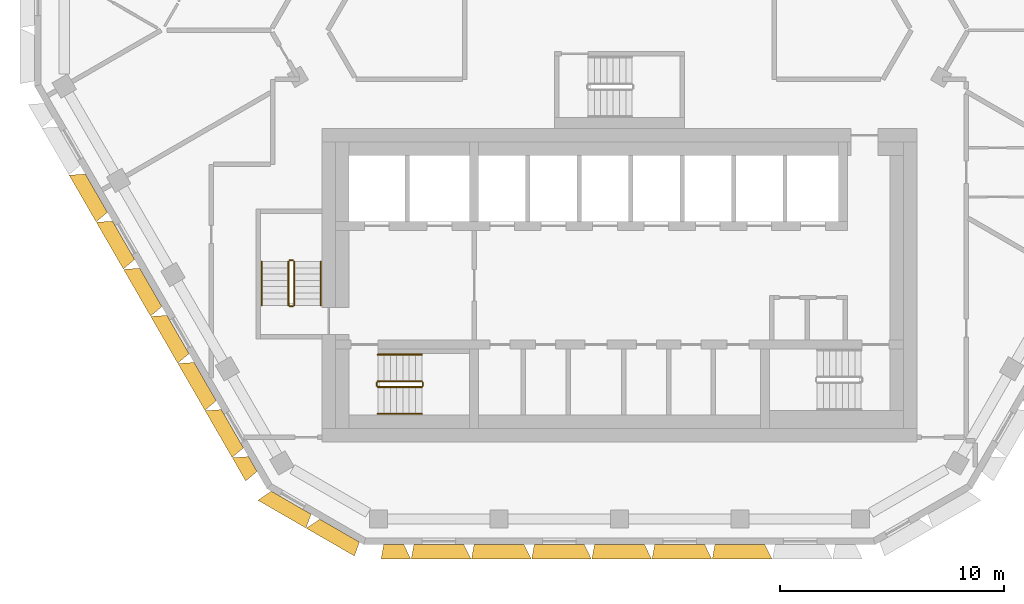
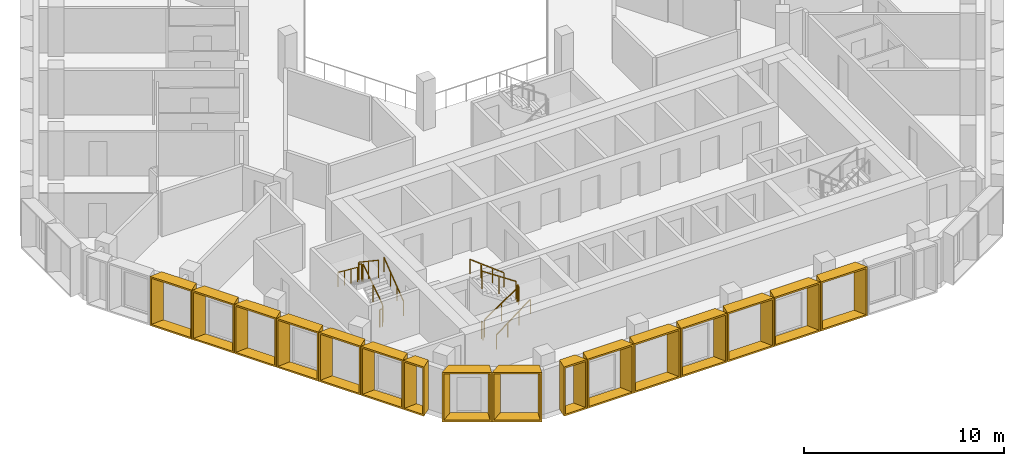
# One storey, part 11 of 15: 16 shading devices, 12 railings.
"""IFC4 building model written with IfcOpenShell, lengths in metres."""

from ifc_helpers import new_model, entity, si_unit, direction, frame, origin, origin_2d, place, context, subcontext, project, spatial, rectangle, extrude, source, transform, mapped, material, type_object, type_shapes, element, save


model = new_model("IFC4")

# Units and contexts
model_context = context("Model", 3, precision=1e-05, world=origin(), true_north=direction((0.0, 1.0)))
body_context = subcontext(model_context, "Body", "Model", "MODEL_VIEW")
ifc_project = project(units=[si_unit("LENGTHUNIT", "METRE"), si_unit("AREAUNIT", "SQUARE_METRE"), si_unit("VOLUMEUNIT", "CUBIC_METRE"), si_unit("PLANEANGLEUNIT", "RADIAN"), si_unit("MASSUNIT", "GRAM", prefix="KILO")], contexts=[model_context])

# Site, building, storey
site_placement = place(None, origin())
site = spatial("IfcSite", under=ifc_project, at=site_placement, CompositionType="ELEMENT")
building_placement = place(site_placement, origin())
building = spatial("IfcBuilding", under=site, at=building_placement, Name="Beryl Residences", CompositionType="ELEMENT")
storey_placement = place(building_placement, frame((0.0, 0.0, 175.199951171875)))
storey = spatial("IfcBuildingStorey", under=building, at=storey_placement, Name="L53", CompositionType="ELEMENT", Elevation=175.199951171875)

# Shading devices
ifc_material_1 = material(Name="Aluminium pale anodised", Category="aluminium")
shading_device_type_1 = type_object("IfcShadingDeviceType", Name="FR122-65B OUTER SKIN frame 650 mm deep, splay 26/10 deg, 1220 x 3000 mm cell", PredefinedType="USERDEFINED", material=ifc_material_1)
cartesian_point_1 = entity("IfcCartesianPoint", [-0.384033203125, 0.0])
cartesian_point_2 = entity("IfcCartesianPoint", [-0.294921875, 0.10009765625])
cartesian_point_3 = entity("IfcCartesianPoint", [-0.700927734375, 0.0])
cartesian_point_4 = entity("IfcCartesianPoint", [-0.612060546875, 0.10009765625])
shared_shape_1 = source(origin(), body_context, "Body", "SweptSolid", [
    entity("IfcExtrudedAreaSolidTapered", entity("IfcArbitraryProfileDefWithVoids", "AREA", None, entity("IfcPolyline", [cartesian_point_1, entity("IfcCartesianPoint", [0.384033203125, 0.0]), entity("IfcCartesianPoint", [0.384033203125, 3.0]), entity("IfcCartesianPoint", [-0.384033203125, 3.0]), cartesian_point_1]), [entity("IfcPolyline", [cartesian_point_2, entity("IfcCartesianPoint", [0.302734375, 0.10009765625]), entity("IfcCartesianPoint", [0.302734375, 2.89990234375]), entity("IfcCartesianPoint", [-0.294921875, 2.89990234375]), cartesian_point_2])]), entity("IfcAxis2Placement3D", entity("IfcCartesianPoint", [0.0, 0.0, 0.0]), entity("IfcDirection", [0.0, 1.0, 0.0]), entity("IfcDirection", [-1.0, 0.0, 0.0])), entity("IfcDirection", [0.0, 0.0, 1.0]), 0.64990234375, entity("IfcArbitraryProfileDefWithVoids", "AREA", None, entity("IfcPolyline", [cartesian_point_3, entity("IfcCartesianPoint", [0.49853515625, 0.0]), entity("IfcCartesianPoint", [0.49853515625, 3.0]), entity("IfcCartesianPoint", [-0.700927734375, 3.0]), cartesian_point_3]), [entity("IfcPolyline", [cartesian_point_4, entity("IfcCartesianPoint", [0.41748046875, 0.10009765625]), entity("IfcCartesianPoint", [0.41748046875, 2.89990234375]), entity("IfcCartesianPoint", [-0.612060546875, 2.89990234375]), cartesian_point_4])])),
])
type_shapes(shading_device_type_1, [shared_shape_1])
shading_device_1_placement = place(storey_placement, frame((-16.39794921875, -19.9970703125, 0.0), z_axis=(0.0, 0.0, 1.0), x_axis=(-0.5, 0.866025403784, 0.0)))
element("IfcShadingDevice", 1, at=shading_device_1_placement, inside=storey, type_object=shading_device_type_1, Name="FR122-65B frame L53 SW 9", ObjectType="OUTER SKIN", PredefinedType="USERDEFINED", context=body_context, shape_type="MappedRepresentation", body=[
    mapped(shared_shape_1, transform((0.0, 0.0, 0.0))),
])
ifc_material_2 = material(Name="Aluminium pale anodised", Category="aluminium")
shading_device_type_2 = type_object("IfcShadingDeviceType", Name="FR135-65C OUTER SKIN frame 650 mm deep, splay 10/26 deg, 1350 x 3000 mm cell", PredefinedType="USERDEFINED", material=ifc_material_2)
cartesian_point_5 = entity("IfcCartesianPoint", [-0.448974609375, 0.0])
cartesian_point_6 = entity("IfcCartesianPoint", [-0.36767578125, 0.10009765625])
cartesian_point_7 = entity("IfcCartesianPoint", [-0.563720703125, 0.0])
cartesian_point_8 = entity("IfcCartesianPoint", [-0.482421875, 0.10009765625])
shared_shape_2 = source(origin(), body_context, "Body", "SweptSolid", [
    entity("IfcExtrudedAreaSolidTapered", entity("IfcArbitraryProfileDefWithVoids", "AREA", None, entity("IfcPolyline", [cartesian_point_5, entity("IfcCartesianPoint", [0.448974609375, 0.0]), entity("IfcCartesianPoint", [0.448974609375, 3.0]), entity("IfcCartesianPoint", [-0.448974609375, 3.0]), cartesian_point_5]), [entity("IfcPolyline", [cartesian_point_6, entity("IfcCartesianPoint", [0.360107421875, 0.10009765625]), entity("IfcCartesianPoint", [0.360107421875, 2.89990234375]), entity("IfcCartesianPoint", [-0.36767578125, 2.89990234375]), cartesian_point_6])]), entity("IfcAxis2Placement3D", entity("IfcCartesianPoint", [0.0, 0.0, 0.0]), entity("IfcDirection", [0.0, 1.0, 0.0]), entity("IfcDirection", [-1.0, 0.0, 0.0])), entity("IfcDirection", [0.0, 0.0, 1.0]), 0.64990234375, entity("IfcArbitraryProfileDefWithVoids", "AREA", None, entity("IfcPolyline", [cartesian_point_7, entity("IfcCartesianPoint", [0.76611328125, 0.0]), entity("IfcCartesianPoint", [0.76611328125, 3.0]), entity("IfcCartesianPoint", [-0.563720703125, 3.0]), cartesian_point_7]), [entity("IfcPolyline", [cartesian_point_8, entity("IfcCartesianPoint", [0.677001953125, 0.10009765625]), entity("IfcCartesianPoint", [0.677001953125, 2.89990234375]), entity("IfcCartesianPoint", [-0.482421875, 2.89990234375]), cartesian_point_8])])),
])
type_shapes(shading_device_type_2, [shared_shape_2])
shading_device_2_placement = place(storey_placement, frame((-10.093994140625, -23.60009765625, 0.0), z_axis=(0.0, 0.0, 1.0), x_axis=(-1.0, 0.0, 0.0)))
element("IfcShadingDevice", 2, at=shading_device_2_placement, inside=storey, type_object=shading_device_type_2, Name="FR135-65C frame L53 S 1", ObjectType="OUTER SKIN", PredefinedType="USERDEFINED", context=body_context, shape_type="MappedRepresentation", body=[
    mapped(shared_shape_2, transform((0.0, 0.0, 0.0))),
])
ifc_material_3 = material(Name="Aluminium pale anodised", Category="aluminium")
shading_device_type_3 = type_object("IfcShadingDeviceType", Name="FR243-65B OUTER SKIN frame 650 mm deep, splay 26/10 deg, 2430 x 3000 mm cell", PredefinedType="USERDEFINED", material=ifc_material_3)
cartesian_point_9 = entity("IfcCartesianPoint", [-0.989013671875, 0.0])
cartesian_point_10 = entity("IfcCartesianPoint", [-0.89990234375, 0.10009765625])
cartesian_point_11 = entity("IfcCartesianPoint", [-1.305908203125, 0.0])
cartesian_point_12 = entity("IfcCartesianPoint", [-1.217041015625, 0.10009765625])
shared_shape_3 = source(origin(), body_context, "Body", "SweptSolid", [
    entity("IfcExtrudedAreaSolidTapered", entity("IfcArbitraryProfileDefWithVoids", "AREA", None, entity("IfcPolyline", [cartesian_point_9, entity("IfcCartesianPoint", [0.989013671875, 0.0]), entity("IfcCartesianPoint", [0.989013671875, 3.0]), entity("IfcCartesianPoint", [-0.989013671875, 3.0]), cartesian_point_9]), [entity("IfcPolyline", [cartesian_point_10, entity("IfcCartesianPoint", [0.90771484375, 0.10009765625]), entity("IfcCartesianPoint", [0.90771484375, 2.89990234375]), entity("IfcCartesianPoint", [-0.89990234375, 2.89990234375]), cartesian_point_10])]), entity("IfcAxis2Placement3D", entity("IfcCartesianPoint", [0.0, 0.0, 0.0]), entity("IfcDirection", [0.0, 1.0, 0.0]), entity("IfcDirection", [-1.0, 0.0, 0.0])), entity("IfcDirection", [0.0, 0.0, 1.0]), 0.64990234375, entity("IfcArbitraryProfileDefWithVoids", "AREA", None, entity("IfcPolyline", [cartesian_point_11, entity("IfcCartesianPoint", [1.103515625, 0.0]), entity("IfcCartesianPoint", [1.103515625, 3.0]), entity("IfcCartesianPoint", [-1.305908203125, 3.0]), cartesian_point_11]), [entity("IfcPolyline", [cartesian_point_12, entity("IfcCartesianPoint", [1.0224609375, 0.10009765625]), entity("IfcCartesianPoint", [1.0224609375, 2.89990234375]), entity("IfcCartesianPoint", [-1.217041015625, 2.89990234375]), cartesian_point_12])])),
])
type_shapes(shading_device_type_3, [shared_shape_3])
for number, where, z_axis, x_axis, name in (
    (3, (-23.388916015625, -7.886962890625, 0.0), (0.0, 0.0, 1.0), (-0.5, 0.866025403784, 0.0), "FR243-65B frame L53 SW 3"),
    (4, (-22.173095703125, -9.992919921875, 0.0), (0.0, 0.0, 1.0), (-0.5, 0.866025403784, 0.0), "FR243-65B frame L53 SW 4"),
    (5, (-20.95703125, -12.09912109375, 0.0), (0.0, 0.0, 1.0), (-0.5, 0.866025403784, 0.0), "FR243-65B frame L53 SW 5"),
    (6, (-19.741943359375, -14.205078125, 0.0), (0.0, 0.0, 1.0), (-0.5, 0.866025403784, 0.0), "FR243-65B frame L53 SW 6"),
    (7, (-18.52587890625, -16.31103515625, 0.0), (0.0, 0.0, 1.0), (-0.5, 0.866025403784, 0.0), "FR243-65B frame L53 SW 7"),
    (8, (-17.31005859375, -18.41796875, 0.0), (0.0, 0.0, 1.0), (-0.5, 0.866025403784, 0.0), "FR243-65B frame L53 SW 8"),
):
    element("IfcShadingDevice", number, at=place(storey_placement, frame(where, z_axis=z_axis, x_axis=x_axis)), inside=storey, type_object=shading_device_type_3, Name=name, ObjectType="OUTER SKIN", PredefinedType="USERDEFINED", context=body_context, shape_type="MappedRepresentation", body=[
        mapped(shared_shape_3, transform((0.0, 0.0, 0.0))),
    ])
ifc_material_4 = material(Name="Aluminium pale anodised", Category="aluminium")
shading_device_type_4 = type_object("IfcShadingDeviceType", Name="FR250-65B OUTER SKIN frame 650 mm deep, splay 26/10 deg, 2500 x 3000 mm cell", PredefinedType="USERDEFINED", material=ifc_material_4)
cartesian_point_13 = entity("IfcCartesianPoint", [-1.02392578125, 0.0])
cartesian_point_14 = entity("IfcCartesianPoint", [-0.93505859375, 0.10009765625])
cartesian_point_15 = entity("IfcCartesianPoint", [-1.341064453125, 0.0])
cartesian_point_16 = entity("IfcCartesianPoint", [-1.251953125, 0.10009765625])
shared_shape_4 = source(origin(), body_context, "Body", "SweptSolid", [
    entity("IfcExtrudedAreaSolidTapered", entity("IfcArbitraryProfileDefWithVoids", "AREA", None, entity("IfcPolyline", [cartesian_point_13, entity("IfcCartesianPoint", [1.02392578125, 0.0]), entity("IfcCartesianPoint", [1.02392578125, 3.0]), entity("IfcCartesianPoint", [-1.02392578125, 3.0]), cartesian_point_13]), [entity("IfcPolyline", [cartesian_point_14, entity("IfcCartesianPoint", [0.94287109375, 0.10009765625]), entity("IfcCartesianPoint", [0.94287109375, 2.89990234375]), entity("IfcCartesianPoint", [-0.93505859375, 2.89990234375]), cartesian_point_14])]), entity("IfcAxis2Placement3D", entity("IfcCartesianPoint", [0.0, 0.0, 0.0]), entity("IfcDirection", [0.0, 1.0, 0.0]), entity("IfcDirection", [-1.0, 0.0, 0.0])), entity("IfcDirection", [0.0, 0.0, 1.0]), 0.64990234375, entity("IfcArbitraryProfileDefWithVoids", "AREA", None, entity("IfcPolyline", [cartesian_point_15, entity("IfcCartesianPoint", [1.138671875, 0.0]), entity("IfcCartesianPoint", [1.138671875, 3.0]), entity("IfcCartesianPoint", [-1.341064453125, 3.0]), cartesian_point_15]), [entity("IfcPolyline", [cartesian_point_16, entity("IfcCartesianPoint", [1.057373046875, 0.10009765625]), entity("IfcCartesianPoint", [1.057373046875, 2.89990234375]), entity("IfcCartesianPoint", [-1.251953125, 2.89990234375]), cartesian_point_16])])),
])
type_shapes(shading_device_type_4, [shared_shape_4])
for number, where, z_axis, x_axis, name in (
    (9, (-14.677978515625, -21.72509765625, 0.0), (0.0, 0.0, 1.0), (-0.866025403784, 0.5, 0.0), "FR250-65B frame L53 SW-S 1"),
    (10, (-12.513916015625, -22.97509765625, 0.0), (0.0, 0.0, 1.0), (-0.866025403784, 0.5, 0.0), "FR250-65B frame L53 SW-S 2"),
):
    element("IfcShadingDevice", number, at=place(storey_placement, frame(where, z_axis=z_axis, x_axis=x_axis)), inside=storey, type_object=shading_device_type_4, Name=name, ObjectType="OUTER SKIN", PredefinedType="USERDEFINED", context=body_context, shape_type="MappedRepresentation", body=[
        mapped(shared_shape_4, transform((0.0, 0.0, 0.0))),
    ])
ifc_material_5 = material(Name="Aluminium pale anodised", Category="aluminium")
shading_device_type_5 = type_object("IfcShadingDeviceType", Name="FR269-65C OUTER SKIN frame 650 mm deep, splay 10/26 deg, 2690 x 3000 mm cell", PredefinedType="USERDEFINED", material=ifc_material_5)
cartesian_point_17 = entity("IfcCartesianPoint", [-1.118896484375, 0.0])
cartesian_point_18 = entity("IfcCartesianPoint", [-1.037841796875, 0.10009765625])
cartesian_point_19 = entity("IfcCartesianPoint", [-1.233642578125, 0.0])
cartesian_point_20 = entity("IfcCartesianPoint", [-1.15234375, 0.10009765625])
shared_shape_5 = source(origin(), body_context, "Body", "SweptSolid", [
    entity("IfcExtrudedAreaSolidTapered", entity("IfcArbitraryProfileDefWithVoids", "AREA", None, entity("IfcPolyline", [cartesian_point_17, entity("IfcCartesianPoint", [1.118896484375, 0.0]), entity("IfcCartesianPoint", [1.118896484375, 3.0]), entity("IfcCartesianPoint", [-1.118896484375, 3.0]), cartesian_point_17]), [entity("IfcPolyline", [cartesian_point_18, entity("IfcCartesianPoint", [1.030029296875, 0.10009765625]), entity("IfcCartesianPoint", [1.030029296875, 2.89990234375]), entity("IfcCartesianPoint", [-1.037841796875, 2.89990234375]), cartesian_point_18])]), entity("IfcAxis2Placement3D", entity("IfcCartesianPoint", [0.0, 0.0, 0.0]), entity("IfcDirection", [0.0, 1.0, 0.0]), entity("IfcDirection", [-1.0, 0.0, 0.0])), entity("IfcDirection", [0.0, 0.0, 1.0]), 0.64990234375, entity("IfcArbitraryProfileDefWithVoids", "AREA", None, entity("IfcPolyline", [cartesian_point_19, entity("IfcCartesianPoint", [1.43603515625, 0.0]), entity("IfcCartesianPoint", [1.43603515625, 3.0]), entity("IfcCartesianPoint", [-1.233642578125, 3.0]), cartesian_point_19]), [entity("IfcPolyline", [cartesian_point_20, entity("IfcCartesianPoint", [1.346923828125, 0.10009765625]), entity("IfcCartesianPoint", [1.346923828125, 2.89990234375]), entity("IfcCartesianPoint", [-1.15234375, 2.89990234375]), cartesian_point_20])])),
])
type_shapes(shading_device_type_5, [shared_shape_5])
for number, where, z_axis, x_axis, name in (
    (11, (-8.074951171875, -23.60009765625, 0.0), (0.0, 0.0, 1.0), (-1.0, 0.0, 0.0), "FR269-65C frame L53 S 2"),
    (12, (-5.383056640625, -23.60009765625, 0.0), (0.0, 0.0, 1.0), (-1.0, 0.0, 0.0), "FR269-65C frame L53 S 3"),
    (13, (-2.69091796875, -23.60009765625, 0.0), (0.0, 0.0, 1.0), (-1.0, 0.0, 0.0), "FR269-65C frame L53 S 4"),
    (14, (0.0009765625, -23.60009765625, 0.0), (0.0, 0.0, 1.0), (-1.0, 0.0, 0.0), "FR269-65C frame L53 S 5"),
    (15, (2.693115234375, -23.60009765625, 0.0), (0.0, 0.0, 1.0), (-1.0, 0.0, 0.0), "FR269-65C frame L53 S 6"),
    (16, (5.385009765625, -23.60009765625, 0.0), (0.0, 0.0, 1.0), (-1.0, 0.0, 0.0), "FR269-65C frame L53 S 7"),
):
    element("IfcShadingDevice", number, at=place(storey_placement, frame(where, z_axis=z_axis, x_axis=x_axis)), inside=storey, type_object=shading_device_type_5, Name=name, ObjectType="OUTER SKIN", PredefinedType="USERDEFINED", context=body_context, shape_type="MappedRepresentation", body=[
        mapped(shared_shape_5, transform((0.0, 0.0, 0.0))),
    ])

# Railings
ifc_material_6 = material(Name="Stainless steel balustrade with glass infill", Category="steel")
railing_type_1 = type_object("IfcRailingType", Name="SG1 stair guard 1100 mm", PredefinedType="GUARDRAIL", material=ifc_material_6)
railing_1_placement = place(storey_placement, frame((-10.800048828125, -16.550048828125, 0.1875)))
element("IfcRailing", 17, at=railing_1_placement, inside=storey, type_object=railing_type_1, Name="L53 ST-1 stair guard 1", PredefinedType="GUARDRAIL", context=body_context, shape_type="SweptSolid", body=[
    extrude(rectangle(XDim=0.048095703125, YDim=0.048095703125, at=origin_2d()), frame((0.0, 0.0, 1.076171875), z_axis=(0.830902050051, 0.0, 0.556418712142), x_axis=(0.0, 1.0, 0.0)), (0.0, 0.0, 1.0), 2.35888671875),
    extrude(rectangle(XDim=0.0419921875, YDim=0.0419921875, at=origin_2d()), origin(), (0.0, 0.0, 1.0), 1.052001953125),
    extrude(rectangle(XDim=0.0419921875, YDim=0.0419921875, at=origin_2d()), frame((0.97998046875, 0.0, 0.65625)), (0.0, 0.0, 1.0), 1.052001953125),
    extrude(rectangle(XDim=0.0419921875, YDim=0.0419921875, at=origin_2d()), frame((1.9599609375, 0.0, 1.3125)), (0.0, 0.0, 1.0), 1.052001953125),
])
railing_2_placement = place(storey_placement, frame((-8.7900390625, -16.5, 1.5)))
element("IfcRailing", 18, at=railing_2_placement, inside=storey, type_object=railing_type_1, Name="L53 ST-1 stair guard 2", PredefinedType="GUARDRAIL", context=body_context, shape_type="SweptSolid", body=[
    extrude(rectangle(XDim=0.048095703125, YDim=0.048095703125, at=origin_2d()), frame((0.0, 0.0, 1.076171875), z_axis=(0.0, 1.0, 0.0), x_axis=(-1.0, 0.0, 0.0)), (0.0, 0.0, 1.0), 0.14990234375),
    extrude(rectangle(XDim=0.0419921875, YDim=0.0419921875, at=origin_2d()), origin(), (0.0, 0.0, 1.0), 1.052001953125),
    extrude(rectangle(XDim=0.0419921875, YDim=0.0419921875, at=origin_2d()), frame((0.0, 0.14990234375, 0.0)), (0.0, 0.0, 1.0), 1.052001953125),
])
railing_3_placement = place(storey_placement, frame((-8.840087890625, -16.300048828125, 1.6875)))
element("IfcRailing", 19, at=railing_3_placement, inside=storey, type_object=railing_type_1, Name="L53 ST-1 stair guard 3", PredefinedType="GUARDRAIL", context=body_context, shape_type="SweptSolid", body=[
    extrude(rectangle(XDim=0.048095703125, YDim=0.048095703125, at=origin_2d()), frame((0.0, 0.0, 1.076171875), z_axis=(-0.830902050051, 0.0, 0.556418712142), x_axis=(0.0, -1.0, 0.0)), (0.0, 0.0, 1.0), 2.35888671875),
    extrude(rectangle(XDim=0.0419921875, YDim=0.0419921875, at=origin_2d()), origin(), (0.0, 0.0, 1.0), 1.052001953125),
    extrude(rectangle(XDim=0.0419921875, YDim=0.0419921875, at=origin_2d()), frame((-0.97998046875, 0.0, 0.65625)), (0.0, 0.0, 1.0), 1.052001953125),
    extrude(rectangle(XDim=0.0419921875, YDim=0.0419921875, at=origin_2d()), frame((-1.9599609375, 0.0, 1.3125)), (0.0, 0.0, 1.0), 1.052001953125),
])
railing_4_placement = place(storey_placement, frame((-10.85009765625, -16.5, 0.0)))
element("IfcRailing", 20, at=railing_4_placement, inside=storey, type_object=railing_type_1, Name="L53 ST-1 stair guard 4", PredefinedType="GUARDRAIL", context=body_context, shape_type="SweptSolid", body=[
    extrude(rectangle(XDim=0.048095703125, YDim=0.048095703125, at=origin_2d()), frame((0.0, 0.0, 1.076171875), z_axis=(0.0, 1.0, 0.0), x_axis=(-1.0, 0.0, 0.0)), (0.0, 0.0, 1.0), 0.14990234375),
    extrude(rectangle(XDim=0.0419921875, YDim=0.0419921875, at=origin_2d()), origin(), (0.0, 0.0, 1.0), 1.052001953125),
    extrude(rectangle(XDim=0.0419921875, YDim=0.0419921875, at=origin_2d()), frame((0.0, 0.14990234375, 0.0)), (0.0, 0.0, 1.0), 1.052001953125),
])
railing_5_placement = place(storey_placement, frame((-14.550048828125, -12.89990234375, 0.1875)))
element("IfcRailing", 21, at=railing_5_placement, inside=storey, type_object=railing_type_1, Name="L53 ST-2 stair guard 1", PredefinedType="GUARDRAIL", context=body_context, shape_type="SweptSolid", body=[
    extrude(rectangle(XDim=0.048095703125, YDim=0.048095703125, at=origin_2d()), frame((0.0, 0.0, 1.076171875), z_axis=(0.0, 0.830902050051, 0.556418712142), x_axis=(-1.0, 0.0, 0.0)), (0.0, 0.0, 1.0), 2.35888671875),
    extrude(rectangle(XDim=0.0419921875, YDim=0.0419921875, at=origin_2d()), origin(), (0.0, 0.0, 1.0), 1.052001953125),
    extrude(rectangle(XDim=0.0419921875, YDim=0.0419921875, at=origin_2d()), frame((0.0, 0.97998046875, 0.65625)), (0.0, 0.0, 1.0), 1.052001953125),
    extrude(rectangle(XDim=0.0419921875, YDim=0.0419921875, at=origin_2d()), frame((0.0, 1.9599609375, 1.3125)), (0.0, 0.0, 1.0), 1.052001953125),
])
railing_6_placement = place(storey_placement, frame((-14.60009765625, -10.889892578125, 1.5)))
element("IfcRailing", 22, at=railing_6_placement, inside=storey, type_object=railing_type_1, Name="L53 ST-2 stair guard 2", PredefinedType="GUARDRAIL", context=body_context, shape_type="SweptSolid", body=[
    extrude(rectangle(XDim=0.048095703125, YDim=0.048095703125, at=origin_2d()), frame((0.0, 0.0, 1.076171875), z_axis=(-1.0, 0.0, 0.0), x_axis=(0.0, -1.0, 0.0)), (0.0, 0.0, 1.0), 0.14990234375),
    extrude(rectangle(XDim=0.0419921875, YDim=0.0419921875, at=origin_2d()), origin(), (0.0, 0.0, 1.0), 1.052001953125),
    extrude(rectangle(XDim=0.0419921875, YDim=0.0419921875, at=origin_2d()), frame((-0.14990234375, 0.0, 0.0)), (0.0, 0.0, 1.0), 1.052001953125),
])
railing_7_placement = place(storey_placement, frame((-14.800048828125, -10.93994140625, 1.6875)))
element("IfcRailing", 23, at=railing_7_placement, inside=storey, type_object=railing_type_1, Name="L53 ST-2 stair guard 3", PredefinedType="GUARDRAIL", context=body_context, shape_type="SweptSolid", body=[
    extrude(rectangle(XDim=0.048095703125, YDim=0.048095703125, at=origin_2d()), frame((0.0, 0.0, 1.076171875), z_axis=(0.0, -0.830902050051, 0.556418712142), x_axis=(1.0, 0.0, 0.0)), (0.0, 0.0, 1.0), 2.35888671875),
    extrude(rectangle(XDim=0.0419921875, YDim=0.0419921875, at=origin_2d()), origin(), (0.0, 0.0, 1.0), 1.052001953125),
    extrude(rectangle(XDim=0.0419921875, YDim=0.0419921875, at=origin_2d()), frame((0.0, -0.97998046875, 0.65625)), (0.0, 0.0, 1.0), 1.052001953125),
    extrude(rectangle(XDim=0.0419921875, YDim=0.0419921875, at=origin_2d()), frame((0.0, -1.9599609375, 1.3125)), (0.0, 0.0, 1.0), 1.052001953125),
])
railing_8_placement = place(storey_placement, frame((-14.60009765625, -12.949951171875, 0.0)))
element("IfcRailing", 24, at=railing_8_placement, inside=storey, type_object=railing_type_1, Name="L53 ST-2 stair guard 4", PredefinedType="GUARDRAIL", context=body_context, shape_type="SweptSolid", body=[
    extrude(rectangle(XDim=0.048095703125, YDim=0.048095703125, at=origin_2d()), frame((0.0, 0.0, 1.076171875), z_axis=(-1.0, 0.0, 0.0), x_axis=(0.0, -1.0, 0.0)), (0.0, 0.0, 1.0), 0.14990234375),
    extrude(rectangle(XDim=0.0419921875, YDim=0.0419921875, at=origin_2d()), origin(), (0.0, 0.0, 1.0), 1.052001953125),
    extrude(rectangle(XDim=0.0419921875, YDim=0.0419921875, at=origin_2d()), frame((-0.14990234375, 0.0, 0.0)), (0.0, 0.0, 1.0), 1.052001953125),
])
ifc_material_7 = material(Name="Stainless steel handrail", Category="steel")
railing_type_2 = type_object("IfcRailingType", Name="SRL1 stair handrail 900 mm", PredefinedType="HANDRAIL", material=ifc_material_7)
railing_9_placement = place(storey_placement, frame((-10.800048828125, -17.75, 0.1875)))
element("IfcRailing", 25, at=railing_9_placement, inside=storey, type_object=railing_type_2, Name="L53 ST-1 stair handrail 1", PredefinedType="HANDRAIL", context=body_context, shape_type="SweptSolid", body=[
    extrude(rectangle(XDim=0.048095703125, YDim=0.048095703125, at=origin_2d()), frame((0.0, 0.0, 0.8759765625), z_axis=(0.794121922505, 0.0, 0.607758481798), x_axis=(0.0, 1.0, 0.0)), (0.0, 0.0, 1.0), 2.468017578125),
    extrude(rectangle(XDim=0.0419921875, YDim=0.0419921875, at=origin_2d()), origin(), (0.0, 0.0, 1.0), 0.851806640625),
    extrude(rectangle(XDim=0.0419921875, YDim=0.0419921875, at=origin_2d()), frame((0.6533203125, 0.0, 0.5)), (0.0, 0.0, 1.0), 0.851806640625),
    extrude(rectangle(XDim=0.0419921875, YDim=0.0419921875, at=origin_2d()), frame((1.306640625, 0.0, 1.0)), (0.0, 0.0, 1.0), 0.851806640625),
    extrude(rectangle(XDim=0.0419921875, YDim=0.0419921875, at=origin_2d()), frame((1.9599609375, 0.0, 1.5)), (0.0, 0.0, 1.0), 0.851806640625),
])
railing_10_placement = place(storey_placement, frame((-8.840087890625, -15.10009765625, 1.6875)))
element("IfcRailing", 26, at=railing_10_placement, inside=storey, type_object=railing_type_2, Name="L53 ST-1 stair handrail 2", PredefinedType="HANDRAIL", context=body_context, shape_type="SweptSolid", body=[
    extrude(rectangle(XDim=0.048095703125, YDim=0.048095703125, at=origin_2d()), frame((0.0, 0.0, 0.8759765625), z_axis=(-0.794121922505, 0.0, 0.607758481798), x_axis=(0.0, -1.0, 0.0)), (0.0, 0.0, 1.0), 2.468017578125),
    extrude(rectangle(XDim=0.0419921875, YDim=0.0419921875, at=origin_2d()), origin(), (0.0, 0.0, 1.0), 0.851806640625),
    extrude(rectangle(XDim=0.0419921875, YDim=0.0419921875, at=origin_2d()), frame((-0.6533203125, 0.0, 0.5)), (0.0, 0.0, 1.0), 0.851806640625),
    extrude(rectangle(XDim=0.0419921875, YDim=0.0419921875, at=origin_2d()), frame((-1.306640625, 0.0, 1.0)), (0.0, 0.0, 1.0), 0.851806640625),
    extrude(rectangle(XDim=0.0419921875, YDim=0.0419921875, at=origin_2d()), frame((-1.9599609375, 0.0, 1.5)), (0.0, 0.0, 1.0), 0.851806640625),
])
railing_11_placement = place(storey_placement, frame((-13.35009765625, -12.89990234375, 0.1875)))
element("IfcRailing", 27, at=railing_11_placement, inside=storey, type_object=railing_type_2, Name="L53 ST-2 stair handrail 1", PredefinedType="HANDRAIL", context=body_context, shape_type="SweptSolid", body=[
    extrude(rectangle(XDim=0.048095703125, YDim=0.048095703125, at=origin_2d()), frame((0.0, 0.0, 0.8759765625), z_axis=(0.0, 0.794121922505, 0.607758481798), x_axis=(-1.0, 0.0, 0.0)), (0.0, 0.0, 1.0), 2.468017578125),
    extrude(rectangle(XDim=0.0419921875, YDim=0.0419921875, at=origin_2d()), origin(), (0.0, 0.0, 1.0), 0.851806640625),
    extrude(rectangle(XDim=0.0419921875, YDim=0.0419921875, at=origin_2d()), frame((0.0, 0.6533203125, 0.5)), (0.0, 0.0, 1.0), 0.851806640625),
    extrude(rectangle(XDim=0.0419921875, YDim=0.0419921875, at=origin_2d()), frame((0.0, 1.306640625, 1.0)), (0.0, 0.0, 1.0), 0.851806640625),
    extrude(rectangle(XDim=0.0419921875, YDim=0.0419921875, at=origin_2d()), frame((0.0, 1.9599609375, 1.5)), (0.0, 0.0, 1.0), 0.851806640625),
])
railing_12_placement = place(storey_placement, frame((-16.0, -10.93994140625, 1.6875)))
element("IfcRailing", 28, at=railing_12_placement, inside=storey, type_object=railing_type_2, Name="L53 ST-2 stair handrail 2", PredefinedType="HANDRAIL", context=body_context, shape_type="SweptSolid", body=[
    extrude(rectangle(XDim=0.048095703125, YDim=0.048095703125, at=origin_2d()), frame((0.0, 0.0, 0.8759765625), z_axis=(0.0, -0.794121922505, 0.607758481798), x_axis=(1.0, 0.0, 0.0)), (0.0, 0.0, 1.0), 2.468017578125),
    extrude(rectangle(XDim=0.0419921875, YDim=0.0419921875, at=origin_2d()), origin(), (0.0, 0.0, 1.0), 0.851806640625),
    extrude(rectangle(XDim=0.0419921875, YDim=0.0419921875, at=origin_2d()), frame((0.0, -0.6533203125, 0.5)), (0.0, 0.0, 1.0), 0.851806640625),
    extrude(rectangle(XDim=0.0419921875, YDim=0.0419921875, at=origin_2d()), frame((0.0, -1.306640625, 1.0)), (0.0, 0.0, 1.0), 0.851806640625),
    extrude(rectangle(XDim=0.0419921875, YDim=0.0419921875, at=origin_2d()), frame((0.0, -1.9599609375, 1.5)), (0.0, 0.0, 1.0), 0.851806640625),
])

save(model, "model.ifc")
